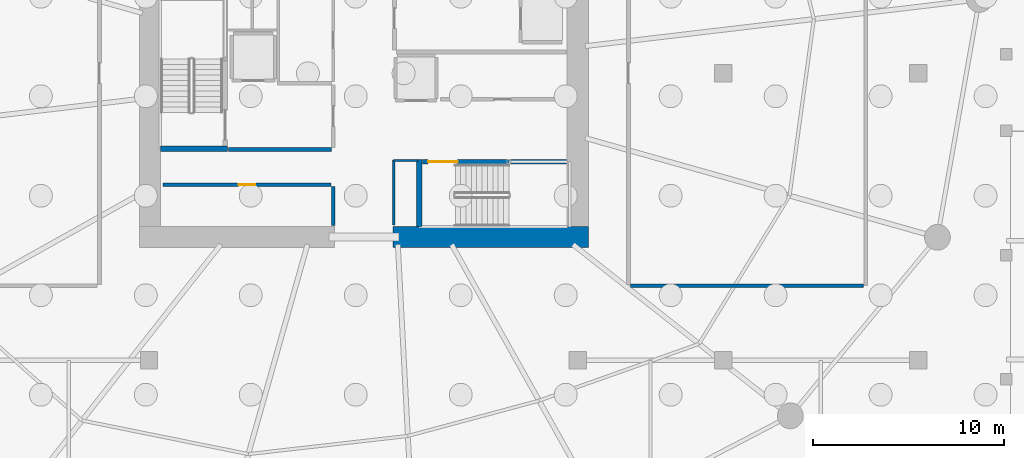
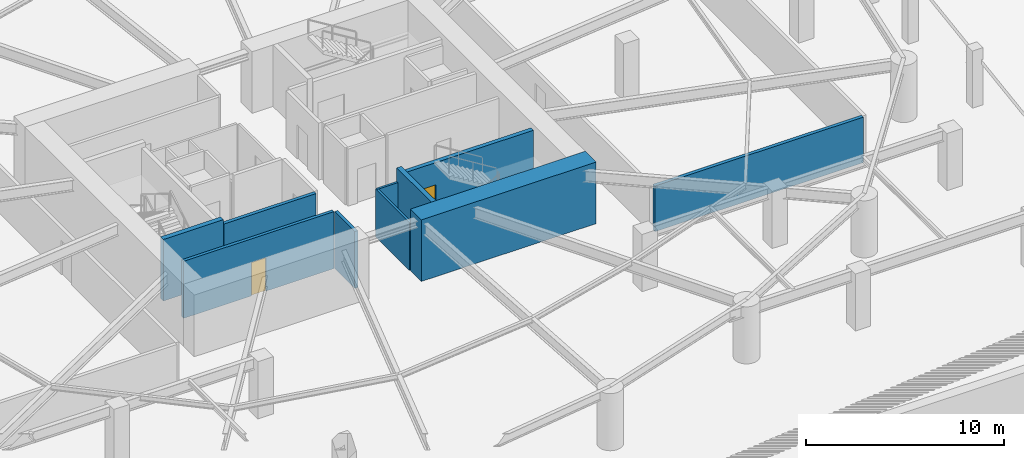
# One storey, part 7 of 12: 10 walls, 2 doors, 2 openings.
"""IFC4 building model written with IfcOpenShell, lengths in metres."""

import ifcopenshell
import ifcopenshell.guid

model = None  # the IFC model being written
_history = None  # IfcOwnerHistory: only IFC2X3 demands one
_inside = {}  # id of a spatial element -> (the spatial element, [elements in it])
_under = {}  # id of a project, library or spatial element -> (it, [spatial elements below it])
_declared = {}  # id of a project -> (the project, [libraries it declares])
_typed = {}  # id of a type object -> (the type object, [elements of that type])
_made_of = {}  # id of a material, layer set ... -> (it, [elements and type objects made of it])


def new_model(schema):
    """Start an empty IFC model of exactly this schema.

    Asked for "IFC4X3", IfcOpenShell would pick the latest addendum, in which some entities
    have other attributes; the version numbers below select the first issue.
    IFC2X3 requires an IfcOwnerHistory on every rooted entity: one is made here for all.
    """
    global model, _history
    if schema == "IFC4X3":
        model = ifcopenshell.file(schema_version=(4, 3, 0, 0))
    else:
        model = ifcopenshell.file(schema=schema)
    _inside.clear()
    _under.clear()
    _declared.clear()
    _typed.clear()
    _made_of.clear()
    _history = None
    if model.schema == "IFC2X3":
        org = make("IfcOrganization", Name="unknown")
        user = make(
            "IfcPersonAndOrganization",
            ThePerson=make("IfcPerson", FamilyName="unknown"),
            TheOrganization=org,
        )
        app = make(
            "IfcApplication",
            ApplicationDeveloper=org,
            Version="unknown",
            ApplicationFullName="unknown",
            ApplicationIdentifier="unknown",
        )
        _history = make(
            "IfcOwnerHistory",
            OwningUser=user,
            OwningApplication=app,
            ChangeAction="ADDED",
            CreationDate=0,
        )
    return model


def make(cls, **values):
    """One entity of the class cls with the attributes given. An attribute that is None is left unset."""
    return model.create_entity(
        cls, **{name: value for name, value in values.items() if value is not None}
    )


def rooted(cls, **values):
    """An entity with a GlobalId (a new one), such as an element, a storey or a relation."""
    return make(cls, GlobalId=ifcopenshell.guid.new(), OwnerHistory=_history, **values)


def si_unit(unit_type, name, prefix=None):
    """IfcSIUnit, for example si_unit("LENGTHUNIT", "METRE", prefix="MILLI")."""
    return make("IfcSIUnit", UnitType=unit_type, Prefix=prefix, Name=name)


def assignment(units):
    """IfcUnitAssignment: the units of a project."""
    return None if units is None else make("IfcUnitAssignment", Units=units)


def point(xyz):
    """IfcCartesianPoint."""
    return None if xyz is None else make("IfcCartesianPoint", Coordinates=xyz)


def direction(xyz):
    """IfcDirection."""
    return None if xyz is None else make("IfcDirection", DirectionRatios=xyz)


def frame(location, z_axis=None, x_axis=None):
    """IfcAxis2Placement3D, a coordinate frame: its origin and axes. An axis left out is left unset."""
    return make(
        "IfcAxis2Placement3D",
        Location=point(location),
        Axis=direction(z_axis),
        RefDirection=direction(x_axis),
    )


def frame_2d(location, x_axis=None):
    """IfcAxis2Placement2D, a coordinate frame in the plane: its origin and x axis."""
    return make(
        "IfcAxis2Placement2D", Location=point(location), RefDirection=direction(x_axis)
    )


def origin():
    """The frame at (0, 0, 0) with its axes left unset."""
    return frame((0.0, 0.0, 0.0))


def place(relative_to, where):
    """IfcLocalPlacement: puts the frame where relative to a parent placement (None: the world)."""
    return make(
        "IfcLocalPlacement", PlacementRelTo=relative_to, RelativePlacement=where
    )


def context(
    kind, dimensions, precision=None, world=None, true_north=None, identifier=None
):
    """IfcGeometricRepresentationContext, for example the 3D "Model" context."""
    return make(
        "IfcGeometricRepresentationContext",
        ContextIdentifier=identifier,
        ContextType=kind,
        CoordinateSpaceDimension=dimensions,
        Precision=precision,
        WorldCoordinateSystem=world,
        TrueNorth=true_north,
    )


def subcontext(parent, identifier, kind, view, scale=None):
    """IfcGeometricRepresentationSubContext, for example "Body" below "Model"."""
    return make(
        "IfcGeometricRepresentationSubContext",
        ContextIdentifier=identifier,
        ContextType=kind,
        ParentContext=parent,
        TargetScale=scale,
        TargetView=view,
    )


def project(units=None, contexts=None):
    """IfcProject with its units and contexts."""
    return rooted(
        "IfcProject",
        Name="project",
        RepresentationContexts=contexts,
        UnitsInContext=assignment(units),
    )


def spatial(cls, under=None, at=None, **own):
    """A site, building, storey or space (cls), placed at a placement, below another one or the project."""
    s = rooted(cls, ObjectPlacement=at, **own)
    if under is not None:
        _under.setdefault(under.id(), (under, []))[1].append(s)
    return s


def profile(cls, at=None, kind="AREA", **sizes):
    """A parametric profile (cls). Its sizes go by their IFC names, for example OverallWidth=200.0."""
    return make(cls, ProfileType=kind, Position=at, **sizes)


def rectangle(**sizes):
    """IfcRectangleProfileDef."""
    return profile("IfcRectangleProfileDef", **sizes)


def extrude(swept, where, along, depth):
    """IfcExtrudedAreaSolid: the profile swept, set in the frame where, extruded along a direction by depth."""
    return make(
        "IfcExtrudedAreaSolid",
        SweptArea=swept,
        Position=where,
        ExtrudedDirection=direction(along),
        Depth=depth,
    )


def shape(context_of_items, identifier, shape_type, items):
    """IfcShapeRepresentation: the items that make up one representation, for example the "Body"."""
    return make(
        "IfcShapeRepresentation",
        ContextOfItems=context_of_items,
        RepresentationIdentifier=identifier,
        RepresentationType=shape_type,
        Items=items,
    )


def material(Name=None, Category=None):
    """IfcMaterial."""
    return make("IfcMaterial", Name=Name, Category=Category)


def layer(
    of_material, thickness, ventilated=None, Name=None, Category=None, Priority=None
):
    """IfcMaterialLayer: one layer of a wall or slab, of a material (None: an air gap)."""
    return make(
        "IfcMaterialLayer",
        Material=of_material,
        LayerThickness=thickness,
        IsVentilated=ventilated,
        Name=Name,
        Category=Category,
        Priority=Priority,
    )


def layer_set(layers, Name=None):
    """IfcMaterialLayerSet."""
    return make("IfcMaterialLayerSet", MaterialLayers=layers, LayerSetName=Name)


def made_of(thing, what):
    """Note that an element or type object is made of a material, layer set ...; save() writes the relation."""
    if what is not None:
        _made_of.setdefault(what.id(), (what, []))[1].append(thing)
    return thing


def type_object(cls, material=None, **own):
    """A type object (cls), such as IfcWallType, which elements share."""
    return made_of(rooted(cls, **own), material)


def element(
    cls,
    number,
    at=None,
    inside=None,
    cuts=None,
    type_object=None,
    material=None,
    context=None,
    identifier="Body",
    shape_type=None,
    held_by="IfcProductDefinitionShape",
    body=None,
    shapes=None,
    **own,
):
    """One element of the class cls, such as IfcWall. Its Tag is "e" and its number.

    at: its placement. inside: the storey or other place that contains it. cuts: it is an
    opening in that element (IfcRelVoidsElement). A single representation is given by context,
    identifier, shape_type and body (its items); several are given by shapes. held_by: the class
    of the entity that holds the representations. save() writes the other relations.
    """
    e = rooted(cls, Tag="e%d" % number, ObjectPlacement=at, **own)
    if body is not None:
        shapes = [shape(context, identifier, shape_type, body)]
    if shapes is not None:
        e.Representation = make(held_by, Representations=shapes)
    if inside is not None:
        _inside.setdefault(inside.id(), (inside, []))[1].append(e)
    if cuts is not None:
        rooted(
            "IfcRelVoidsElement", RelatingBuildingElement=cuts, RelatedOpeningElement=e
        )
    if type_object is not None:
        _typed.setdefault(type_object.id(), (type_object, []))[1].append(e)
    return made_of(e, material)


def fill(opening, filler):
    """IfcRelFillsElement: the door or window that sits in an opening."""
    return rooted(
        "IfcRelFillsElement",
        RelatingOpeningElement=opening,
        RelatedBuildingElement=filler,
    )


def aggregate(whole, parts):
    """IfcRelAggregates: a whole, such as a stair, and the parts it consists of."""
    return rooted("IfcRelAggregates", RelatingObject=whole, RelatedObjects=parts)


def save(model, path):
    """Write the relations noted so far, then the file.

    IfcRelAggregates (storeys below a building ...), IfcRelContainedInSpatialStructure (elements
    in a storey), IfcRelDefinesByType, IfcRelAssociatesMaterial and IfcRelDeclares: one each for
    every whole, place, type object, material and project.
    """
    for whole, parts in _under.values():
        aggregate(whole, parts)
    for where, things in _inside.values():
        rooted(
            "IfcRelContainedInSpatialStructure",
            RelatedElements=things,
            RelatingStructure=where,
        )
    for kind, things in _typed.values():
        rooted("IfcRelDefinesByType", RelatedObjects=things, RelatingType=kind)
    for what, things in _made_of.values():
        rooted("IfcRelAssociatesMaterial", RelatedObjects=things, RelatingMaterial=what)
    for by, libraries in _declared.values():
        rooted("IfcRelDeclares", RelatingContext=by, RelatedDefinitions=libraries)
    model.write(path)


model = new_model("IFC4")

# Units and contexts
model_context = context("Model", 3, precision=1e-05, world=origin(), true_north=direction((0.0, 1.0)))
body_context = subcontext(model_context, "Body", "Model", "MODEL_VIEW")
ifc_project = project(units=[si_unit("LENGTHUNIT", "METRE"), si_unit("AREAUNIT", "SQUARE_METRE"), si_unit("VOLUMEUNIT", "CUBIC_METRE"), si_unit("PLANEANGLEUNIT", "RADIAN"), si_unit("MASSUNIT", "GRAM", prefix="KILO")], contexts=[model_context])

# Site, building, storey
site_placement = place(None, origin())
site = spatial("IfcSite", under=ifc_project, at=site_placement, CompositionType="ELEMENT")
building_placement = place(site_placement, origin())
building = spatial("IfcBuilding", under=site, at=building_placement, Name="Kazma Halo Residences", CompositionType="ELEMENT")
storey_placement = place(building_placement, frame((0.0, 0.0, -7.60009765625)))
storey = spatial("IfcBuildingStorey", under=building, at=storey_placement, Name="B02", CompositionType="ELEMENT", Elevation=-7.60009765625)

# Walls
ifc_material_1 = material(Name="Concrete C80/95", Category="concrete")
ifc_layer_1 = layer(ifc_material_1, 1.10009765625)
ifc_layer_set_1 = layer_set([ifc_layer_1], Name="Concrete C80/95")
wall_type_1 = type_object("IfcWallType", Name="WL-CORE-1100", PredefinedType="SHEAR", material=ifc_layer_set_1)
wall_1_placement = place(storey_placement, frame((49.949951171875, 33.449951171875, 0.0), z_axis=(0.0, 0.0, 1.0), x_axis=(1.0, 0.0, 0.0)))
element("IfcWall", 1, at=wall_1_placement, inside=storey, type_object=wall_type_1, Name="B02 central core shear wall SE", PredefinedType="SHEAR", context=body_context, shape_type="SweptSolid", body=[
    extrude(rectangle(XDim=10.199951171875, YDim=1.10009765625, at=frame_2d((5.10009765625, 0.0))), origin(), (0.0, 0.0, 1.0), 3.800048828125),
])
ifc_material_2 = material(Name="Concrete C60/75", Category="concrete")
ifc_layer_2 = layer(ifc_material_2, 0.280029296875)
ifc_layer_set_2 = layer_set([ifc_layer_2], Name="Concrete C60/75")
wall_type_2 = type_object("IfcWallType", Name="WL-CORE-ST-280", PredefinedType="SHEAR", material=ifc_layer_set_2)
for number, where, z_axis, x_axis, name in (
    (2, (37.800048828125, 38.06005859375, 0.0), (0.0, 0.0, 1.0), (1.0, 0.0, 0.0), "B02 stairwell bearing wall ST01-S"),
    (3, (51.31005859375, 34.0, 0.0), (0.0, 0.0, 1.0), (0.0, 1.0, 0.0), "B02 stairwell bearing wall ST03-W"),
):
    element("IfcWall", number, at=place(storey_placement, frame(where, z_axis=z_axis, x_axis=x_axis)), inside=storey, type_object=wall_type_2, Name=name, PredefinedType="SHEAR", context=body_context, shape_type="SweptSolid", body=[
        extrude(rectangle(XDim=3.5, YDim=0.280029296875, at=frame_2d((1.75, 0.0))), origin(), (0.0, 0.0, 1.0), 3.800048828125),
    ])

# Wall, opening, door
ifc_material_3 = material(Name="Fire-Rated Blockwork Masonry", Category="masonry")
ifc_layer_3 = layer(ifc_material_3, 0.199951171875)
ifc_layer_set_3 = layer_set([ifc_layer_3], Name="Fire-Rated Blockwork Masonry")
wall_type_3 = type_object("IfcWallType", Name="WL-FLB-200", PredefinedType="PARTITIONING", material=ifc_layer_set_3)
wall_2_placement = place(storey_placement, frame((37.919921875, 36.179931640625, 0.0), z_axis=(0.0, 0.0, 1.0), x_axis=(1.0, 0.0, 0.0)))
wall_2 = element("IfcWall", 4, at=wall_2_placement, inside=storey, type_object=wall_type_3, Name="B02 core sump plant wall", PredefinedType="PARTITIONING", context=body_context, shape_type="SweptSolid", body=[
    extrude(rectangle(XDim=8.780029296875, YDim=0.179931640625, at=frame_2d((4.39013671875, 0.0))), origin(), (0.0, 0.0, 1.0), 3.52001953125),
])
opening_1_placement = place(wall_2_placement, frame((3.965087890625, 0.0, 0.0)))
opening_1 = element("IfcOpeningElement", 5, at=opening_1_placement, cuts=wall_2, Name="Opening DS-850", PredefinedType="OPENING", context=body_context, shape_type="SweptSolid", body=[
    extrude(rectangle(XDim=0.85009765625, YDim=2.06005859375, at=frame_2d((0.425048828125, 1.030029296875))), frame((0.0, 0.099853515625, 0.0), z_axis=(0.0, -1.0, 0.0), x_axis=(1.0, 0.0, 0.0)), (0.0, 0.0, 1.0), 0.199951171875),
])
ifc_material_4 = material(Name="Painted Steel Access Leaf", Category="steel")
door_type_1 = type_object("IfcDoorType", Name="DR-SVC-850", OperationType="NOTDEFINED", PredefinedType="DOOR", material=ifc_material_4)
door_1_placement = place(opening_1_placement, origin())
door_1 = element("IfcDoor", 6, at=door_1_placement, inside=storey, type_object=door_type_1, Name="B02 core sump plant door", OperationType="SINGLE_SWING_LEFT", OverallHeight=2.06005859375, OverallWidth=0.85009765625, PredefinedType="DOOR", context=body_context, shape_type="SweptSolid", body=[
    extrude(rectangle(XDim=0.85009765625, YDim=2.06005859375, at=frame_2d((0.425048828125, 1.030029296875))), frame((0.0, 0.02490234375, 0.0), z_axis=(0.0, -1.0, 0.0), x_axis=(1.0, 0.0, 0.0)), (0.0, 0.0, 1.0), 0.050048828125),
])
fill(opening_1, door_1)

# Walls
wall_3_placement = place(storey_placement, frame((46.820068359375, 34.050048828125, 0.0), z_axis=(0.0, 0.0, 1.0), x_axis=(0.0, 1.0, 0.0)))
element("IfcWall", 7, at=wall_3_placement, inside=storey, type_object=wall_type_3, Name="B02 core sump east wall", PredefinedType="PARTITIONING", context=body_context, shape_type="SweptSolid", body=[
    extrude(rectangle(XDim=2.030029296875, YDim=0.179931640625, at=frame_2d((1.01513671875, 0.0))), origin(), (0.0, 0.0, 1.0), 3.52001953125),
])
wall_4_placement = place(storey_placement, frame((41.35009765625, 38.02001953125, 0.0), z_axis=(0.0, 0.0, 1.0), x_axis=(1.0, 0.0, 0.0)))
element("IfcWall", 8, at=wall_4_placement, inside=storey, type_object=wall_type_3, Name="B02 west firefighting lobby south smoke wall", PredefinedType="PARTITIONING", context=body_context, shape_type="SweptSolid", body=[
    extrude(rectangle(XDim=5.369873046875, YDim=0.199951171875, at=frame_2d((2.68505859375, 0.0))), origin(), (0.0, 0.0, 1.0), 3.52001953125),
])
wall_5_placement = place(storey_placement, frame((62.3701171875, 30.89990234375, 0.0), z_axis=(0.0, 0.0, 1.0), x_axis=(1.0, 0.0, 0.0)))
element("IfcWall", 9, at=wall_5_placement, inside=storey, type_object=wall_type_3, Name="B02 east pump plant south wall", PredefinedType="PARTITIONING", context=body_context, shape_type="SweptSolid", body=[
    extrude(rectangle(XDim=12.159912109375, YDim=0.199951171875, at=frame_2d((6.080078125, 0.0))), origin(), (0.0, 0.0, 1.0), 2.81103515625),
])
ifc_material_5 = material(Name="Gypsum Plasterboard Partition")
ifc_layer_4 = layer(ifc_material_5, 0.125)
ifc_layer_set_4 = layer_set([ifc_layer_4], Name="Gypsum Plasterboard Partition")
wall_type_4 = type_object("IfcWallType", Name="WL-PART-125", PredefinedType="PARTITIONING", material=ifc_layer_set_4)
wall_6_placement = place(storey_placement, frame((49.97998046875, 34.06005859375, 0.0), z_axis=(0.0, 0.0, 1.0), x_axis=(0.0, 1.0, 0.0)))
element("IfcWall", 10, at=wall_6_placement, inside=storey, type_object=wall_type_4, Name="B02 standpipe riser wall", PredefinedType="PARTITIONING", context=body_context, shape_type="SweptSolid", body=[
    extrude(rectangle(XDim=3.39990234375, YDim=0.125, at=frame_2d((1.699951171875, 0.0))), origin(), (0.0, 0.0, 1.0), 2.960205078125),
])
wall_7_placement = place(storey_placement, frame((49.97998046875, 37.43994140625, 0.0), z_axis=(0.0, 0.0, 1.0), x_axis=(1.0, 0.0, 0.0)))
element("IfcWall", 11, at=wall_7_placement, inside=storey, type_object=wall_type_4, Name="B02 standpipe riser north wall", PredefinedType="PARTITIONING", context=body_context, shape_type="SweptSolid", body=[
    extrude(rectangle(XDim=1.260009765625, YDim=0.125, at=frame_2d((0.6298828125, 0.0))), origin(), (0.0, 0.0, 1.0), 2.960205078125),
])

# Wall, opening, door
ifc_material_6 = material(Name="Concrete C50/60", Category="concrete")
ifc_layer_5 = layer(ifc_material_6, 0.25)
ifc_layer_set_5 = layer_set([ifc_layer_5], Name="Concrete C50/60")
wall_type_5 = type_object("IfcWallType", Name="WL-SHF-250", PredefinedType="SOLIDWALL", material=ifc_layer_set_5)
wall_8_placement = place(storey_placement, frame((51.47998046875, 37.3798828125, 0.0), z_axis=(0.0, 0.0, 1.0), x_axis=(1.0, 0.0, 0.0)))
wall_8 = element("IfcWall", 12, at=wall_8_placement, inside=storey, type_object=wall_type_5, Name="B02 exit stair ST-03 enclosure wall", PredefinedType="SOLIDWALL", context=body_context, shape_type="SweptSolid", body=[
    extrude(rectangle(XDim=7.5400390625, YDim=0.25, at=frame_2d((3.77001953125, 0.0))), origin(), (0.0, 0.0, 1.0), 3.52001953125),
])
opening_2_placement = place(wall_8_placement, frame((0.300048828125, 0.0, 0.0)))
opening_2 = element("IfcOpeningElement", 13, at=opening_2_placement, cuts=wall_8, Name="Opening D-ST3", PredefinedType="OPENING", context=body_context, shape_type="SweptSolid", body=[
    extrude(rectangle(XDim=1.550048828125, YDim=2.14990234375, at=frame_2d((0.77490234375, 1.074951171875))), frame((0.0, 0.135009765625, 0.0), z_axis=(0.0, -1.0, 0.0), x_axis=(1.0, 0.0, 0.0)), (0.0, 0.0, 1.0), 0.27001953125),
])
ifc_material_7 = material(Name="Fire-Rated Double Steel Leaf", Category="steel")
door_type_2 = type_object("IfcDoorType", Name="DR-FD90-1550", OperationType="NOTDEFINED", PredefinedType="DOOR", material=ifc_material_7)
door_2_placement = place(opening_2_placement, origin())
door_2 = element("IfcDoor", 14, at=door_2_placement, inside=storey, type_object=door_type_2, Name="B02 exit stair ST-03 fire door", OperationType="DOUBLE_DOOR_SINGLE_SWING", OverallHeight=2.14990234375, OverallWidth=1.550048828125, PredefinedType="DOOR", context=body_context, shape_type="SweptSolid", body=[
    extrude(rectangle(XDim=1.550048828125, YDim=2.14990234375, at=frame_2d((0.77490234375, 1.074951171875))), frame((0.0, 0.02490234375, 0.0), z_axis=(0.0, -1.0, 0.0), x_axis=(1.0, 0.0, 0.0)), (0.0, 0.0, 1.0), 0.050048828125),
])
fill(opening_2, door_2)

save(model, "model.ifc")
